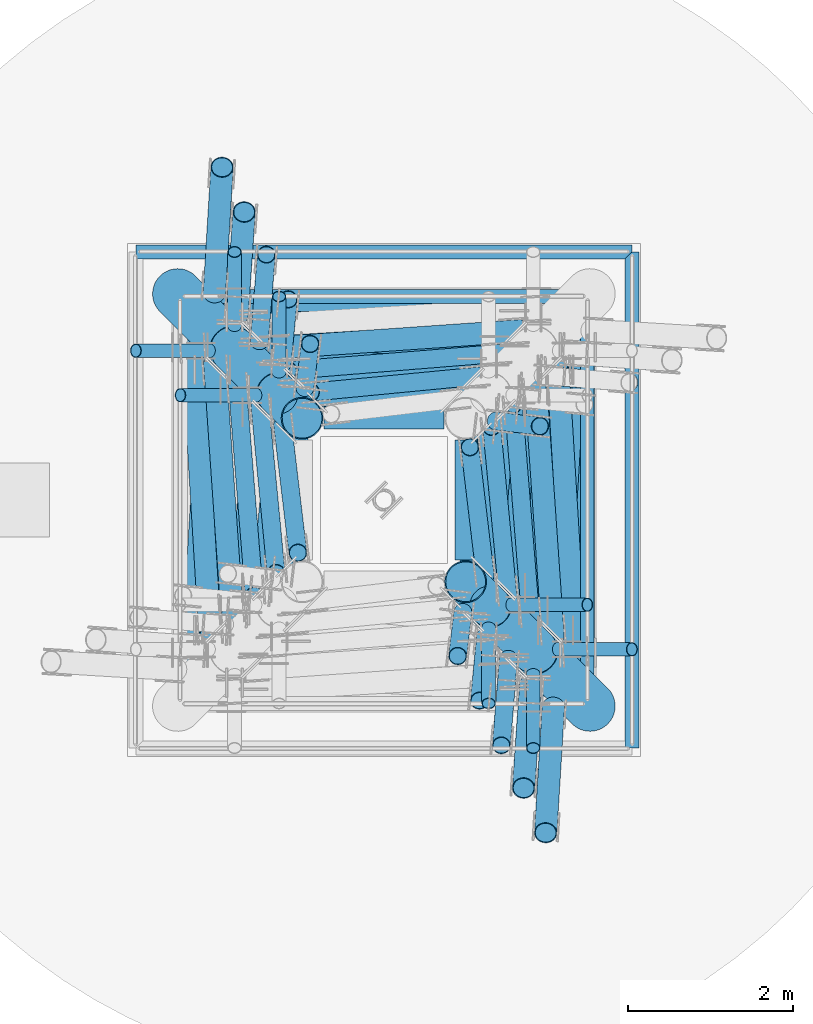
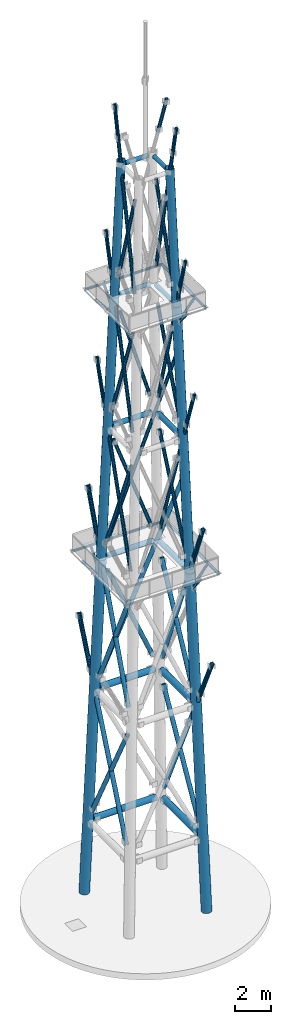
# One storey, part 3 of 25: 66 members.
"""IFC4 building model written with IfcOpenShell, lengths in metres."""

from ifc_helpers import new_model, si_unit, direction, frame, origin, origin_2d, place, context, subcontext, project, spatial, hollow_circle, extrude, material, material_profile, profile_set, type_object, element, save


model = new_model("IFC4")

# Units and contexts
model_context = context("Model", 3, precision=1e-05, world=origin(), true_north=direction((0.0, 1.0)))
body_context = subcontext(model_context, "Body", "Model", "MODEL_VIEW")
ifc_project = project(units=[si_unit("LENGTHUNIT", "METRE"), si_unit("AREAUNIT", "SQUARE_METRE"), si_unit("VOLUMEUNIT", "CUBIC_METRE"), si_unit("PLANEANGLEUNIT", "RADIAN"), si_unit("MASSUNIT", "GRAM", prefix="KILO")], contexts=[model_context])

# Site, building, storey
site_placement = place(None, origin())
site = spatial("IfcSite", under=ifc_project, at=site_placement, CompositionType="ELEMENT")
building_placement = place(site_placement, origin())
building = spatial("IfcBuilding", under=site, at=building_placement, Name="Vidyagriha Tower", CompositionType="ELEMENT")
storey_placement = place(building_placement, frame((0.0, 0.0, 318.39990234375)))
storey = spatial("IfcBuildingStorey", under=building, at=storey_placement, Name="RF", CompositionType="ELEMENT", Elevation=318.39990234375)

# Members
ifc_material_1 = material(Name="Steel ASTM A500 Grade C", Category="steel")
ifc_material_profile_1 = material_profile(ifc_material_1, hollow_circle(Radius=0.109619140625, WallThickness=0.008056640625, at=origin_2d()), Name="Broadcast mast lattice brace CHS 219x8 MAST")
ifc_profile_set_1 = profile_set([ifc_material_profile_1], Name="Steel ASTM A500 Grade C")
member_type_1 = type_object("IfcMemberType", Name="Broadcast mast lattice brace CHS 219x8 MAST", PredefinedType="BRACE", material=ifc_profile_set_1)
member_1_placement = place(storey_placement, frame((1.779052734375, 11.57421875, 24.032470703125), z_axis=(-0.028097350832, 0.348710548946, 0.936809207859), x_axis=(-0.996769556415, -0.080314702295, 0.0)))
element("IfcMember", 1, at=member_1_placement, inside=storey, type_object=member_type_1, Name="Broadcast mast brace 3.2a MAST", PredefinedType="BRACE", context=body_context, shape_type="SweptSolid", body=[
    extrude(hollow_circle(Radius=0.109619140625, WallThickness=0.008056640625, at=origin_2d()), origin(), (0.0, 0.0, 1.0), 7.403076171875),
])
member_2_placement = place(storey_placement, frame((1.509033203125, 11.07568359375, 33.032470703125), z_axis=(-0.028145017539, -0.348690001157, 0.9368154253), x_axis=(0.996758259432, -0.080454783909, 0.0)))
element("IfcMember", 2, at=member_2_placement, inside=storey, type_object=member_type_1, Name="Broadcast mast brace 3.2b MAST", PredefinedType="BRACE", context=body_context, shape_type="SweptSolid", body=[
    extrude(hollow_circle(Radius=0.109619140625, WallThickness=0.008056640625, at=origin_2d()), origin(), (0.0, 0.0, 1.0), 3.010009765625),
])
member_3_placement = place(storey_placement, frame((1.42431640625, 10.026123046875, 35.852294921875), z_axis=(0.028115532216, 0.348706129436, -0.936810307448), x_axis=(-0.996765312992, 0.080367349191, 0.0)))
element("IfcMember", 3, at=member_3_placement, inside=storey, type_object=member_type_1, Name="Broadcast mast brace 3.2c MAST", PredefinedType="BRACE", context=body_context, shape_type="SweptSolid", body=[
    extrude(hollow_circle(Radius=0.109619140625, WallThickness=0.008056640625, at=origin_2d()), origin(), (0.0, 0.0, 1.0), 12.6171875),
])
member_4_placement = place(storey_placement, frame((1.42578125, 14.779052734375, 24.032470703125), z_axis=(-0.348710548946, -0.028097350832, 0.936809207859), x_axis=(0.080314702295, -0.996769556415, 0.0)))
element("IfcMember", 4, at=member_4_placement, inside=storey, type_object=member_type_1, Name="Broadcast mast brace 3.3a MAST", PredefinedType="BRACE", context=body_context, shape_type="SweptSolid", body=[
    extrude(hollow_circle(Radius=0.109619140625, WallThickness=0.008056640625, at=origin_2d()), origin(), (0.0, 0.0, 1.0), 7.403076171875),
])
member_5_placement = place(storey_placement, frame((2.973876953125, 14.42431640625, 35.852294921875), z_axis=(-0.348706129436, 0.028115532216, -0.936810307448), x_axis=(-0.080367349191, -0.996765312992, 0.0)))
element("IfcMember", 5, at=member_5_placement, inside=storey, type_object=member_type_1, Name="Broadcast mast brace 3.3c MAST", PredefinedType="BRACE", context=body_context, shape_type="SweptSolid", body=[
    extrude(hollow_circle(Radius=0.109619140625, WallThickness=0.008056640625, at=origin_2d()), origin(), (0.0, 0.0, 1.0), 12.6171875),
])
member_6_placement = place(storey_placement, frame((-1.779052734375, 14.42578125, 24.032470703125), z_axis=(0.028097350832, -0.348710548946, 0.936809207859), x_axis=(0.996769556415, 0.080314702295, 0.0)))
element("IfcMember", 6, at=member_6_placement, inside=storey, type_object=member_type_1, Name="Broadcast mast brace 3.4a MAST", PredefinedType="BRACE", context=body_context, shape_type="SweptSolid", body=[
    extrude(hollow_circle(Radius=0.109619140625, WallThickness=0.008056640625, at=origin_2d()), origin(), (0.0, 0.0, 1.0), 7.403076171875),
])
member_7_placement = place(storey_placement, frame((-1.509033203125, 14.92431640625, 33.032470703125), z_axis=(0.028145017539, 0.348690001157, 0.9368154253), x_axis=(-0.996758259432, 0.080454783909, 0.0)))
element("IfcMember", 7, at=member_7_placement, inside=storey, type_object=member_type_1, Name="Broadcast mast brace 3.4b MAST", PredefinedType="BRACE", context=body_context, shape_type="SweptSolid", body=[
    extrude(hollow_circle(Radius=0.109619140625, WallThickness=0.008056640625, at=origin_2d()), origin(), (0.0, 0.0, 1.0), 3.010009765625),
])
member_8_placement = place(storey_placement, frame((-1.42431640625, 15.973876953125, 35.852294921875), z_axis=(-0.028115532216, -0.348706129436, -0.936810307448), x_axis=(0.996765312992, -0.080367349191, 0.0)))
element("IfcMember", 8, at=member_8_placement, inside=storey, type_object=member_type_1, Name="Broadcast mast brace 3.4c MAST", PredefinedType="BRACE", context=body_context, shape_type="SweptSolid", body=[
    extrude(hollow_circle(Radius=0.109619140625, WallThickness=0.008056640625, at=origin_2d()), origin(), (0.0, 0.0, 1.0), 12.6171875),
])
member_9_placement = place(storey_placement, frame((1.5029296875, 11.84521484375, 33.233642578125), z_axis=(-0.028633048292, 0.297919201092, 0.954161568167), x_axis=(-0.995413175576, -0.095669273487, 0.0)))
element("IfcMember", 9, at=member_9_placement, inside=storey, type_object=member_type_1, Name="Broadcast mast brace 4.2a MAST", PredefinedType="BRACE", context=body_context, shape_type="SweptSolid", body=[
    extrude(hollow_circle(Radius=0.109619140625, WallThickness=0.008056640625, at=origin_2d()), origin(), (0.0, 0.0, 1.0), 6.846923828125),
])
member_10_placement = place(storey_placement, frame((1.23291015625, 11.344970703125, 42.233642578125), z_axis=(-0.028633127585, -0.297934242584, 0.954156869231), x_axis=(0.995413610296, -0.095664750236, 0.0)))
element("IfcMember", 10, at=member_10_placement, inside=storey, type_object=member_type_1, Name="Broadcast mast brace 4.2b MAST", PredefinedType="BRACE", context=body_context, shape_type="SweptSolid", body=[
    extrude(hollow_circle(Radius=0.109619140625, WallThickness=0.008056640625, at=origin_2d()), origin(), (0.0, 0.0, 1.0), 2.609130859375),
])
member_11_placement = place(storey_placement, frame((1.158203125, 10.567626953125, 44.72314453125), z_axis=(0.028628457099, 0.29790220974, -0.954167010998), x_axis=(-0.995414116824, 0.095659479545, 0.0)))
element("IfcMember", 11, at=member_11_placement, inside=storey, type_object=member_type_1, Name="Broadcast mast brace 4.2c MAST", PredefinedType="BRACE", context=body_context, shape_type="SweptSolid", body=[
    extrude(hollow_circle(Radius=0.109619140625, WallThickness=0.008056640625, at=origin_2d()), origin(), (0.0, 0.0, 1.0), 12.04150390625),
])
for number, where, z_axis, x_axis, name in (
    (12, (1.15478515625, 14.5029296875, 33.233642578125), (-0.297919201092, -0.028633048292, 0.954161568167), (0.095669273487, -0.995413175576, 0.0), "Broadcast mast brace 4.3a MAST"),
    (13, (-1.5029296875, 14.15478515625, 33.233642578125), (0.028633048292, -0.297919201092, 0.954161568167), (0.995413175576, 0.095669273487, 0.0), "Broadcast mast brace 4.4a MAST"),
):
    element("IfcMember", number, at=place(storey_placement, frame(where, z_axis=z_axis, x_axis=x_axis)), inside=storey, type_object=member_type_1, Name=name, PredefinedType="BRACE", context=body_context, shape_type="SweptSolid", body=[
        extrude(hollow_circle(Radius=0.109619140625, WallThickness=0.008056640625, at=origin_2d()), origin(), (0.0, 0.0, 1.0), 6.846923828125),
    ])
member_12_placement = place(storey_placement, frame((-1.23291015625, 14.655029296875, 42.233642578125), z_axis=(0.028633127585, 0.297934242584, 0.954156869231), x_axis=(-0.995413610296, 0.095664750236, 0.0)))
element("IfcMember", 14, at=member_12_placement, inside=storey, type_object=member_type_1, Name="Broadcast mast brace 4.4b MAST", PredefinedType="BRACE", context=body_context, shape_type="SweptSolid", body=[
    extrude(hollow_circle(Radius=0.109619140625, WallThickness=0.008056640625, at=origin_2d()), origin(), (0.0, 0.0, 1.0), 2.609130859375),
])
member_13_placement = place(storey_placement, frame((-1.158203125, 15.432373046875, 44.72314453125), z_axis=(-0.028628457099, -0.29790220974, -0.954167010998), x_axis=(0.995414116824, -0.095659479545, 0.0)))
element("IfcMember", 15, at=member_13_placement, inside=storey, type_object=member_type_1, Name="Broadcast mast brace 4.4c MAST", PredefinedType="BRACE", context=body_context, shape_type="SweptSolid", body=[
    extrude(hollow_circle(Radius=0.109619140625, WallThickness=0.008056640625, at=origin_2d()), origin(), (0.0, 0.0, 1.0), 12.04150390625),
])
member_14_placement = place(storey_placement, frame((1.227294921875, 12.090087890625, 42.427734375), z_axis=(-0.029112534479, 0.244452868876, 0.969224048007), x_axis=(-0.992983027005, -0.118256957848, 0.0)))
element("IfcMember", 16, at=member_14_placement, inside=storey, type_object=member_type_1, Name="Broadcast mast brace 5.2a MAST", PredefinedType="BRACE", context=body_context, shape_type="SweptSolid", body=[
    extrude(hollow_circle(Radius=0.109619140625, WallThickness=0.008056640625, at=origin_2d()), origin(), (0.0, 0.0, 1.0), 6.33984375),
])
member_15_placement = place(storey_placement, frame((0.957275390625, 11.639892578125, 51.427734375), z_axis=(-0.029097967109, -0.244467862664, 0.969220703676), x_axis=(0.992990824761, -0.118191463058, 0.0)))
element("IfcMember", 17, at=member_15_placement, inside=storey, type_object=member_type_1, Name="Broadcast mast brace 5.2b MAST", PredefinedType="BRACE", context=body_context, shape_type="SweptSolid", body=[
    extrude(hollow_circle(Radius=0.109619140625, WallThickness=0.008056640625, at=origin_2d()), origin(), (0.0, 0.0, 1.0), 2.173095703125),
])
member_16_placement = place(storey_placement, frame((0.89404296875, 11.108642578125, 53.533935546875), z_axis=(0.029082425805, 0.24446282321, -0.969222441227), x_axis=(-0.992997945918, 0.11813161898, 0.0)))
element("IfcMember", 18, at=member_16_placement, inside=storey, type_object=member_type_1, Name="Broadcast mast brace 5.2c MAST", PredefinedType="BRACE", context=body_context, shape_type="SweptSolid", body=[
    extrude(hollow_circle(Radius=0.109619140625, WallThickness=0.008056640625, at=origin_2d()), origin(), (0.0, 0.0, 1.0), 11.458984375),
])
member_17_placement = place(storey_placement, frame((1.360107421875, 13.957275390625, 51.427734375), z_axis=(0.244467862664, -0.029097967109, 0.969220703676), x_axis=(0.118191463058, 0.992990824761, 0.0)))
element("IfcMember", 19, at=member_17_placement, inside=storey, type_object=member_type_1, Name="Broadcast mast brace 5.3b MAST", PredefinedType="BRACE", context=body_context, shape_type="SweptSolid", body=[
    extrude(hollow_circle(Radius=0.109619140625, WallThickness=0.008056640625, at=origin_2d()), origin(), (0.0, 0.0, 1.0), 2.173095703125),
])
member_18_placement = place(storey_placement, frame((-1.227294921875, 13.909912109375, 42.427734375), z_axis=(0.029112534479, -0.244452868876, 0.969224048007), x_axis=(0.992983027005, 0.118256957848, 0.0)))
element("IfcMember", 20, at=member_18_placement, inside=storey, type_object=member_type_1, Name="Broadcast mast brace 5.4a MAST", PredefinedType="BRACE", context=body_context, shape_type="SweptSolid", body=[
    extrude(hollow_circle(Radius=0.109619140625, WallThickness=0.008056640625, at=origin_2d()), origin(), (0.0, 0.0, 1.0), 6.33984375),
])
member_19_placement = place(storey_placement, frame((-0.957275390625, 14.360107421875, 51.427734375), z_axis=(0.029097967109, 0.244467862664, 0.969220703676), x_axis=(-0.992990824761, 0.118191463058, 0.0)))
element("IfcMember", 21, at=member_19_placement, inside=storey, type_object=member_type_1, Name="Broadcast mast brace 5.4b MAST", PredefinedType="BRACE", context=body_context, shape_type="SweptSolid", body=[
    extrude(hollow_circle(Radius=0.109619140625, WallThickness=0.008056640625, at=origin_2d()), origin(), (0.0, 0.0, 1.0), 2.173095703125),
])
member_20_placement = place(storey_placement, frame((-0.89404296875, 14.891357421875, 53.533935546875), z_axis=(-0.029082425805, -0.24446282321, -0.969222441227), x_axis=(0.992997945918, -0.11813161898, 0.0)))
element("IfcMember", 22, at=member_20_placement, inside=storey, type_object=member_type_1, Name="Broadcast mast brace 5.4c MAST", PredefinedType="BRACE", context=body_context, shape_type="SweptSolid", body=[
    extrude(hollow_circle(Radius=0.109619140625, WallThickness=0.008056640625, at=origin_2d()), origin(), (0.0, 0.0, 1.0), 11.458984375),
])
ifc_material_2 = material(Name="Steel ASTM A500 Grade C", Category="steel")
ifc_material_profile_2 = material_profile(ifc_material_2, hollow_circle(Radius=0.136474609375, WallThickness=0.010009765625, at=origin_2d()), Name="Broadcast mast lattice brace CHS 273x10 MAST")
ifc_profile_set_2 = profile_set([ifc_material_profile_2], Name="Steel ASTM A500 Grade C")
member_type_2 = type_object("IfcMemberType", Name="Broadcast mast lattice brace CHS 273x10 MAST", PredefinedType="BRACE", material=ifc_profile_set_2)
member_21_placement = place(storey_placement, frame((2.32373046875, 11.0810546875, 5.8759765625), z_axis=(-0.026916100155, 0.441472376731, 0.896871040973), x_axis=(-0.998146560172, -0.060855931649, 0.0)))
element("IfcMember", 23, at=member_21_placement, inside=storey, type_object=member_type_2, Name="Broadcast mast brace 1.2a MAST", PredefinedType="BRACE", context=body_context, shape_type="SweptSolid", body=[
    extrude(hollow_circle(Radius=0.136474609375, WallThickness=0.010009765625, at=origin_2d()), origin(), (0.0, 0.0, 1.0), 8.081787109375),
])
member_22_placement = place(storey_placement, frame((2.0537109375, 10.489013671875, 14.8759765625), z_axis=(-0.0269089794, -0.441519701467, 0.896847958153), x_axis=(0.998147933981, -0.060833394533, 0.0)))
element("IfcMember", 24, at=member_22_placement, inside=storey, type_object=member_type_2, Name="Broadcast mast brace 1.2b MAST", PredefinedType="BRACE", context=body_context, shape_type="SweptSolid", body=[
    extrude(hollow_circle(Radius=0.136474609375, WallThickness=0.010009765625, at=origin_2d()), origin(), (0.0, 0.0, 1.0), 3.44775390625),
])
member_23_placement = place(storey_placement, frame((1.9609375, 8.966796875, 17.968017578125), z_axis=(0.026908483436, 0.441472965129, -0.896870979896), x_axis=(-0.998147611008, 0.0608386936, 0.0)))
element("IfcMember", 25, at=member_23_placement, inside=storey, type_object=member_type_2, Name="Broadcast mast brace 1.2c MAST", PredefinedType="BRACE", context=body_context, shape_type="SweptSolid", body=[
    extrude(hollow_circle(Radius=0.136474609375, WallThickness=0.010009765625, at=origin_2d()), origin(), (0.0, 0.0, 1.0), 13.482421875),
])
member_24_placement = place(storey_placement, frame((-2.32373046875, 14.9189453125, 5.8759765625), z_axis=(0.026916100155, -0.441472376731, 0.896871040973), x_axis=(0.998146560172, 0.060855931649, 0.0)))
element("IfcMember", 26, at=member_24_placement, inside=storey, type_object=member_type_2, Name="Broadcast mast brace 1.4a MAST", PredefinedType="BRACE", context=body_context, shape_type="SweptSolid", body=[
    extrude(hollow_circle(Radius=0.136474609375, WallThickness=0.010009765625, at=origin_2d()), origin(), (0.0, 0.0, 1.0), 8.081787109375),
])
member_25_placement = place(storey_placement, frame((-2.0537109375, 15.510986328125, 14.8759765625), z_axis=(0.0269089794, 0.441519701467, 0.896847958153), x_axis=(-0.998147933981, 0.060833394533, 0.0)))
element("IfcMember", 27, at=member_25_placement, inside=storey, type_object=member_type_2, Name="Broadcast mast brace 1.4b MAST", PredefinedType="BRACE", context=body_context, shape_type="SweptSolid", body=[
    extrude(hollow_circle(Radius=0.136474609375, WallThickness=0.010009765625, at=origin_2d()), origin(), (0.0, 0.0, 1.0), 3.44775390625),
])
member_26_placement = place(storey_placement, frame((-1.9609375, 17.033203125, 17.968017578125), z_axis=(-0.026908483436, -0.441472965129, -0.896870979896), x_axis=(0.998147611008, -0.0608386936, 0.0)))
element("IfcMember", 28, at=member_26_placement, inside=storey, type_object=member_type_2, Name="Broadcast mast brace 1.4c MAST", PredefinedType="BRACE", context=body_context, shape_type="SweptSolid", body=[
    extrude(hollow_circle(Radius=0.136474609375, WallThickness=0.010009765625, at=origin_2d()), origin(), (0.0, 0.0, 1.0), 13.482421875),
])
member_27_placement = place(storey_placement, frame((2.0498046875, 11.353271484375, 15.00244140625), z_axis=(-0.027508666167, 0.396585939249, 0.91758534539), x_axis=(-0.99760298505, -0.069197429276, 0.0)))
element("IfcMember", 29, at=member_27_placement, inside=storey, type_object=member_type_2, Name="Broadcast mast brace 2.2a MAST", PredefinedType="BRACE", context=body_context, shape_type="SweptSolid", body=[
    extrude(hollow_circle(Radius=0.136474609375, WallThickness=0.010009765625, at=origin_2d()), origin(), (0.0, 0.0, 1.0), 7.623779296875),
])
member_28_placement = place(storey_placement, frame((1.77978515625, 10.7568359375, 24.00244140625), z_axis=(-0.027475968612, -0.396616383071, 0.917573166471), x_axis=(0.997609025351, -0.069110292559, 0.0)))
element("IfcMember", 30, at=member_28_placement, inside=storey, type_object=member_type_2, Name="Broadcast mast brace 2.2b MAST", PredefinedType="BRACE", context=body_context, shape_type="SweptSolid", body=[
    extrude(hollow_circle(Radius=0.136474609375, WallThickness=0.010009765625, at=origin_2d()), origin(), (0.0, 0.0, 1.0), 3.1455078125),
])
member_29_placement = place(storey_placement, frame((1.693359375, 9.50927734375, 26.888671875), z_axis=(0.027516496341, 0.396595638699, -0.91758091839), x_axis=(-0.997601742061, 0.069215346833, 0.0)))
element("IfcMember", 31, at=member_29_placement, inside=storey, type_object=member_type_2, Name="Broadcast mast brace 2.2c MAST", PredefinedType="BRACE", context=body_context, shape_type="SweptSolid", body=[
    extrude(hollow_circle(Radius=0.136474609375, WallThickness=0.010009765625, at=origin_2d()), origin(), (0.0, 0.0, 1.0), 12.953857421875),
])
member_30_placement = place(storey_placement, frame((1.646728515625, 15.0498046875, 15.00244140625), z_axis=(-0.396585939249, -0.027508666167, 0.91758534539), x_axis=(0.069197429276, -0.99760298505, 0.0)))
element("IfcMember", 32, at=member_30_placement, inside=storey, type_object=member_type_2, Name="Broadcast mast brace 2.3a MAST", PredefinedType="BRACE", context=body_context, shape_type="SweptSolid", body=[
    extrude(hollow_circle(Radius=0.136474609375, WallThickness=0.010009765625, at=origin_2d()), origin(), (0.0, 0.0, 1.0), 7.623779296875),
])
member_31_placement = place(storey_placement, frame((3.49072265625, 14.693359375, 26.888671875), z_axis=(-0.396595638699, 0.027516496341, -0.91758091839), x_axis=(-0.069215346833, -0.997601742061, 0.0)))
element("IfcMember", 33, at=member_31_placement, inside=storey, type_object=member_type_2, Name="Broadcast mast brace 2.3c MAST", PredefinedType="BRACE", context=body_context, shape_type="SweptSolid", body=[
    extrude(hollow_circle(Radius=0.136474609375, WallThickness=0.010009765625, at=origin_2d()), origin(), (0.0, 0.0, 1.0), 12.953857421875),
])
member_32_placement = place(storey_placement, frame((-2.0498046875, 14.646728515625, 15.00244140625), z_axis=(0.027508666167, -0.396585939249, 0.91758534539), x_axis=(0.99760298505, 0.069197429276, 0.0)))
element("IfcMember", 34, at=member_32_placement, inside=storey, type_object=member_type_2, Name="Broadcast mast brace 2.4a MAST", PredefinedType="BRACE", context=body_context, shape_type="SweptSolid", body=[
    extrude(hollow_circle(Radius=0.136474609375, WallThickness=0.010009765625, at=origin_2d()), origin(), (0.0, 0.0, 1.0), 7.623779296875),
])
member_33_placement = place(storey_placement, frame((-1.77978515625, 15.2431640625, 24.00244140625), z_axis=(0.027475968612, 0.396616383071, 0.917573166471), x_axis=(-0.997609025351, 0.069110292559, 0.0)))
element("IfcMember", 35, at=member_33_placement, inside=storey, type_object=member_type_2, Name="Broadcast mast brace 2.4b MAST", PredefinedType="BRACE", context=body_context, shape_type="SweptSolid", body=[
    extrude(hollow_circle(Radius=0.136474609375, WallThickness=0.010009765625, at=origin_2d()), origin(), (0.0, 0.0, 1.0), 3.1455078125),
])
member_34_placement = place(storey_placement, frame((-1.693359375, 16.49072265625, 26.888671875), z_axis=(-0.027516496341, -0.396595638699, -0.91758091839), x_axis=(0.997601742061, -0.069215346833, 0.0)))
element("IfcMember", 36, at=member_34_placement, inside=storey, type_object=member_type_2, Name="Broadcast mast brace 2.4c MAST", PredefinedType="BRACE", context=body_context, shape_type="SweptSolid", body=[
    extrude(hollow_circle(Radius=0.136474609375, WallThickness=0.010009765625, at=origin_2d()), origin(), (0.0, 0.0, 1.0), 12.953857421875),
])
ifc_material_3 = material(Name="Steel ASTM A500 Grade C", Category="steel")
ifc_material_profile_3 = material_profile(ifc_material_3, hollow_circle(Radius=0.25390625, WallThickness=0.0126953125, at=origin_2d()), Name="Broadcast mast lattice leg CHS 508x13 MAST")
ifc_profile_set_3 = profile_set([ifc_material_profile_3], Name="Steel ASTM A500 Grade C")
member_type_3 = type_object("IfcMemberType", Name="Broadcast mast lattice leg CHS 508x13 MAST", PredefinedType="USERDEFINED", material=ifc_profile_set_3)
for number, where, z_axis, x_axis, name in (
    (37, (1.283447265625, 11.716552734375, 40.550048828125), (-0.029971038586, 0.029971038586, 0.999101333045), (-0.707106781187, -0.707106781187, 0.0), "Broadcast mast leg 2.3 MAST"),
    (38, (-1.283447265625, 14.283447265625, 40.550048828125), (0.029971038586, -0.029971038586, 0.999101333045), (0.707106781187, 0.707106781187, 0.0), "Broadcast mast leg 4.3 MAST"),
):
    element("IfcMember", number, at=place(storey_placement, frame(where, z_axis=z_axis, x_axis=x_axis)), inside=storey, type_object=member_type_3, Name=name, ObjectType="MAST", PredefinedType="USERDEFINED", context=body_context, shape_type="SweptSolid", body=[
        extrude(hollow_circle(Radius=0.25390625, WallThickness=0.0126953125, at=origin_2d()), origin(), (0.0, 0.0, 1.0), 9.7587890625),
    ])
ifc_material_4 = material(Name="Steel ASTM A500 Grade C", Category="steel")
ifc_material_profile_4 = material_profile(ifc_material_4, hollow_circle(Radius=0.279296875, WallThickness=0.01611328125, at=origin_2d()), Name="Broadcast mast lattice leg CHS 559x16 MAST")
ifc_profile_set_4 = profile_set([ifc_material_profile_4], Name="Steel ASTM A500 Grade C")
member_type_4 = type_object("IfcMemberType", Name="Broadcast mast lattice leg CHS 559x16 MAST", PredefinedType="USERDEFINED", material=ifc_profile_set_4)
for number, where, z_axis, x_axis, name in (
    (39, (1.823486328125, 11.176513671875, 22.550048828125), (-0.029971320793, 0.029971320793, 0.999101316114), (-0.707106781187, -0.707106781187, 0.0), "Broadcast mast leg 2.2 MAST"),
    (40, (-1.823486328125, 14.823486328125, 22.550048828125), (0.029971320793, -0.029971320793, 0.999101316114), (0.707106781187, 0.707106781187, 0.0), "Broadcast mast leg 4.2 MAST"),
):
    element("IfcMember", number, at=place(storey_placement, frame(where, z_axis=z_axis, x_axis=x_axis)), inside=storey, type_object=member_type_4, Name=name, ObjectType="MAST", PredefinedType="USERDEFINED", context=body_context, shape_type="SweptSolid", body=[
        extrude(hollow_circle(Radius=0.279296875, WallThickness=0.01611328125, at=origin_2d()), origin(), (0.0, 0.0, 1.0), 18.466552734375),
    ])
ifc_material_5 = material(Name="Steel ASTM A572 Grade 50", Category="steel")
ifc_material_profile_5 = material_profile(ifc_material_5, hollow_circle(Radius=0.304931640625, WallThickness=0.02490234375, at=origin_2d()), Name="Broadcast mast lattice leg CHS 610x25 MAST")
ifc_profile_set_5 = profile_set([ifc_material_profile_5], Name="Steel ASTM A572 Grade 50")
member_type_5 = type_object("IfcMemberType", Name="Broadcast mast lattice leg CHS 610x25 MAST", PredefinedType="USERDEFINED", material=ifc_profile_set_5)
for number, where, z_axis, x_axis, name in (
    (41, (2.49853515625, 10.50146484375, 0.050048828125), (-0.029972081558, 0.029972081558, 0.99910127047), (-0.707106781187, -0.707106781187, 0.0), "Broadcast mast leg 2.1 MAST"),
    (42, (-2.49853515625, 15.49853515625, 0.050048828125), (0.029972081558, -0.029972081558, 0.99910127047), (0.707106781187, 0.707106781187, 0.0), "Broadcast mast leg 4.1 MAST"),
):
    element("IfcMember", number, at=place(storey_placement, frame(where, z_axis=z_axis, x_axis=x_axis)), inside=storey, type_object=member_type_5, Name=name, ObjectType="MAST", PredefinedType="USERDEFINED", context=body_context, shape_type="SweptSolid", body=[
        extrude(hollow_circle(Radius=0.304931640625, WallThickness=0.02490234375, at=origin_2d()), origin(), (0.0, 0.0, 1.0), 22.970703125),
    ])
ifc_material_6 = material(Name="Steel ASTM A500 Grade C", Category="steel")
ifc_material_profile_6 = material_profile(ifc_material_6, hollow_circle(Radius=0.136474609375, WallThickness=0.010009765625, at=origin_2d()), Name="Broadcast mast lattice ring CHS 273x10 MAST")
ifc_profile_set_6 = profile_set([ifc_material_profile_6], Name="Steel ASTM A500 Grade C")
member_type_6 = type_object("IfcMemberType", Name="Broadcast mast lattice ring CHS 273x10 MAST", PredefinedType="STRUT", material=ifc_profile_set_6)
for number, where, z_axis, x_axis, name in (
    (43, (1.27001953125, 12.00390625, 41.0), (0.0, 1.0, 0.0), (-1.0, 0.0, 0.0), "Broadcast mast ring 5.2 MAST"),
    (44, (0.99609375, 14.27001953125, 41.0), (-1.0, 0.0, 0.0), (0.0, -1.0, 0.0), "Broadcast mast ring 5.3 MAST"),
):
    element("IfcMember", number, at=place(storey_placement, frame(where, z_axis=z_axis, x_axis=x_axis)), inside=storey, type_object=member_type_6, Name=name, PredefinedType="STRUT", context=body_context, shape_type="SweptSolid", body=[
        extrude(hollow_circle(Radius=0.136474609375, WallThickness=0.010009765625, at=origin_2d()), origin(), (0.0, 0.0, 1.0), 1.9921875),
    ])
for number, where, z_axis, x_axis, name in (
    (45, (1.0, 12.27392578125, 50.0), (0.0, 1.0, 0.0), (-1.0, 0.0, 0.0), "Broadcast mast ring 6.2 MAST"),
    (46, (0.72607421875, 14.0, 50.0), (-1.0, 0.0, 0.0), (0.0, -1.0, 0.0), "Broadcast mast ring 6.3 MAST"),
):
    element("IfcMember", number, at=place(storey_placement, frame(where, z_axis=z_axis, x_axis=x_axis)), inside=storey, type_object=member_type_6, Name=name, PredefinedType="STRUT", context=body_context, shape_type="SweptSolid", body=[
        extrude(hollow_circle(Radius=0.136474609375, WallThickness=0.010009765625, at=origin_2d()), origin(), (0.0, 0.0, 1.0), 1.4521484375),
    ])
ifc_material_7 = material(Name="Steel ASTM A500 Grade C", Category="steel")
ifc_material_profile_7 = material_profile(ifc_material_7, hollow_circle(Radius=0.161865234375, WallThickness=0.010009765625, at=origin_2d()), Name="Broadcast mast lattice ring CHS 324x10 MAST")
ifc_profile_set_7 = profile_set([ifc_material_profile_7], Name="Steel ASTM A500 Grade C")
member_type_7 = type_object("IfcMemberType", Name="Broadcast mast lattice ring CHS 324x10 MAST", PredefinedType="STRUT", material=ifc_profile_set_7)
for number, where, z_axis, x_axis, name in (
    (47, (1.81005859375, 11.489501953125, 23.0), (0.0, 1.0, 0.0), (-1.0, 0.0, 0.0), "Broadcast mast ring 3.2 MAST"),
    (48, (1.510498046875, 14.81005859375, 23.0), (-1.0, 0.0, 0.0), (0.0, -1.0, 0.0), "Broadcast mast ring 3.3 MAST"),
):
    element("IfcMember", number, at=place(storey_placement, frame(where, z_axis=z_axis, x_axis=x_axis)), inside=storey, type_object=member_type_7, Name=name, PredefinedType="STRUT", context=body_context, shape_type="SweptSolid", body=[
        extrude(hollow_circle(Radius=0.161865234375, WallThickness=0.010009765625, at=origin_2d()), origin(), (0.0, 0.0, 1.0), 3.02099609375),
    ])
for number, where, z_axis, x_axis, name in (
    (49, (1.5400390625, 11.759521484375, 32.0), (0.0, 1.0, 0.0), (-1.0, 0.0, 0.0), "Broadcast mast ring 4.2 MAST"),
    (50, (1.240478515625, 14.5400390625, 32.0), (-1.0, 0.0, 0.0), (0.0, -1.0, 0.0), "Broadcast mast ring 4.3 MAST"),
):
    element("IfcMember", number, at=place(storey_placement, frame(where, z_axis=z_axis, x_axis=x_axis)), inside=storey, type_object=member_type_7, Name=name, PredefinedType="STRUT", context=body_context, shape_type="SweptSolid", body=[
        extrude(hollow_circle(Radius=0.161865234375, WallThickness=0.010009765625, at=origin_2d()), origin(), (0.0, 0.0, 1.0), 2.48095703125),
    ])
ifc_material_8 = material(Name="Steel ASTM A500 Grade C", Category="steel")
ifc_material_profile_8 = material_profile(ifc_material_8, hollow_circle(Radius=0.203125, WallThickness=0.0126953125, at=origin_2d()), Name="Broadcast mast lattice ring CHS 406x13 MAST")
ifc_profile_set_8 = profile_set([ifc_material_profile_8], Name="Steel ASTM A500 Grade C")
member_type_8 = type_object("IfcMemberType", Name="Broadcast mast lattice ring CHS 406x13 MAST", PredefinedType="STRUT", material=ifc_profile_set_8)
for number, where, z_axis, x_axis, name in (
    (51, (2.35009765625, 10.97509765625, 5.0), (0.0, 1.0, 0.0), (-1.0, 0.0, 0.0), "Broadcast mast ring 1.2 MAST"),
    (52, (2.02490234375, 15.35009765625, 5.0), (-1.0, 0.0, 0.0), (0.0, -1.0, 0.0), "Broadcast mast ring 1.3 MAST"),
):
    element("IfcMember", number, at=place(storey_placement, frame(where, z_axis=z_axis, x_axis=x_axis)), inside=storey, type_object=member_type_8, Name=name, PredefinedType="STRUT", context=body_context, shape_type="SweptSolid", body=[
        extrude(hollow_circle(Radius=0.203125, WallThickness=0.0126953125, at=origin_2d()), origin(), (0.0, 0.0, 1.0), 4.0498046875),
    ])
for number, where, z_axis, x_axis, name in (
    (53, (2.080078125, 11.2451171875, 14.0), (0.0, 1.0, 0.0), (-1.0, 0.0, 0.0), "Broadcast mast ring 2.2 MAST"),
    (54, (1.7548828125, 15.080078125, 14.0), (-1.0, 0.0, 0.0), (0.0, -1.0, 0.0), "Broadcast mast ring 2.3 MAST"),
):
    element("IfcMember", number, at=place(storey_placement, frame(where, z_axis=z_axis, x_axis=x_axis)), inside=storey, type_object=member_type_8, Name=name, PredefinedType="STRUT", context=body_context, shape_type="SweptSolid", body=[
        extrude(hollow_circle(Radius=0.203125, WallThickness=0.0126953125, at=origin_2d()), origin(), (0.0, 0.0, 1.0), 3.509765625),
    ])
ifc_material_9 = material(Name="Steel ASTM A500 Grade C", Category="steel")
ifc_material_profile_9 = material_profile(ifc_material_9, hollow_circle(Radius=0.084228515625, WallThickness=0.008056640625, at=origin_2d()), Name="Broadcast mast platform knee brace CHS 168x8 MAST")
ifc_profile_set_9 = profile_set([ifc_material_profile_9], Name="Steel ASTM A500 Grade C")
member_type_9 = type_object("IfcMemberType", Name="Broadcast mast platform knee brace CHS 168x8 MAST", PredefinedType="BRACE", material=ifc_profile_set_9)
for number, where, z_axis, x_axis, name in (
    (55, (2.109375, 11.18994140625, 22.0), (0.611954746035, 0.0, 0.790892779588), (0.0, 1.0, 0.0), "Broadcast mast platform 1 knee brace 2x MAST"),
    (56, (1.81005859375, 10.890625, 22.0), (0.0, -0.611954746035, 0.790892779588), (1.0, 0.0, 0.0), "Broadcast mast platform 1 knee brace 2y MAST"),
    (57, (-2.109375, 14.81005859375, 22.0), (-0.611954746035, 0.0, 0.790892779588), (0.0, -1.0, 0.0), "Broadcast mast platform 1 knee brace 4x MAST"),
    (58, (-1.81005859375, 15.109375, 22.0), (0.0, 0.611954746035, 0.790892779588), (-1.0, 0.0, 0.0), "Broadcast mast platform 1 knee brace 4y MAST"),
):
    element("IfcMember", number, at=place(storey_placement, frame(where, z_axis=z_axis, x_axis=x_axis)), inside=storey, type_object=member_type_9, Name=name, PredefinedType="BRACE", context=body_context, shape_type="SweptSolid", body=[
        extrude(hollow_circle(Radius=0.084228515625, WallThickness=0.008056640625, at=origin_2d()), origin(), (0.0, 0.0, 1.0), 1.46533203125),
    ])
for number, where, z_axis, x_axis, name in (
    (59, (3.006103515625, 9.993896484375, 23.118896484375), (0.0, 1.0, 0.0), (-1.0, 0.0, 0.0), "Broadcast mast platform 1 edge strut 2 MAST"),
    (60, (3.006103515625, 16.006103515625, 23.118896484375), (-1.0, 0.0, 0.0), (0.0, -1.0, 0.0), "Broadcast mast platform 1 edge strut 3 MAST"),
):
    element("IfcMember", number, at=place(storey_placement, frame(where, z_axis=z_axis, x_axis=x_axis)), inside=storey, type_object=member_type_9, Name=name, PredefinedType="STRUT", context=body_context, shape_type="SweptSolid", body=[
        extrude(hollow_circle(Radius=0.084228515625, WallThickness=0.008056640625, at=origin_2d()), origin(), (0.0, 0.0, 1.0), 6.01220703125),
    ])
for number, where, z_axis, x_axis, name in (
    (61, (1.5439453125, 11.72998046875, 40.0), (0.631051682992, 0.0, 0.77574079008), (0.0, 1.0, 0.0), "Broadcast mast platform 2 knee brace 2x MAST"),
    (62, (1.27001953125, 11.4560546875, 40.0), (0.0, -0.631051682992, 0.77574079008), (1.0, 0.0, 0.0), "Broadcast mast platform 2 knee brace 2y MAST"),
    (63, (-1.5439453125, 14.27001953125, 40.0), (-0.631051682992, 0.0, 0.77574079008), (0.0, -1.0, 0.0), "Broadcast mast platform 2 knee brace 4x MAST"),
    (64, (-1.27001953125, 14.5439453125, 40.0), (0.0, 0.631051682992, 0.77574079008), (-1.0, 0.0, 0.0), "Broadcast mast platform 2 knee brace 4y MAST"),
):
    element("IfcMember", number, at=place(storey_placement, frame(where, z_axis=z_axis, x_axis=x_axis)), inside=storey, type_object=member_type_9, Name=name, PredefinedType="BRACE", context=body_context, shape_type="SweptSolid", body=[
        extrude(hollow_circle(Radius=0.084228515625, WallThickness=0.008056640625, at=origin_2d()), origin(), (0.0, 0.0, 1.0), 1.461181640625),
    ])
for number, where, z_axis, x_axis, name in (
    (65, (2.466064453125, 10.533935546875, 41.093505859375), (0.0, 1.0, 0.0), (-1.0, 0.0, 0.0), "Broadcast mast platform 2 edge strut 2 MAST"),
    (66, (2.466064453125, 15.466064453125, 41.093505859375), (-1.0, 0.0, 0.0), (0.0, -1.0, 0.0), "Broadcast mast platform 2 edge strut 3 MAST"),
):
    element("IfcMember", number, at=place(storey_placement, frame(where, z_axis=z_axis, x_axis=x_axis)), inside=storey, type_object=member_type_9, Name=name, PredefinedType="STRUT", context=body_context, shape_type="SweptSolid", body=[
        extrude(hollow_circle(Radius=0.084228515625, WallThickness=0.008056640625, at=origin_2d()), origin(), (0.0, 0.0, 1.0), 4.93212890625),
    ])

save(model, "model.ifc")
